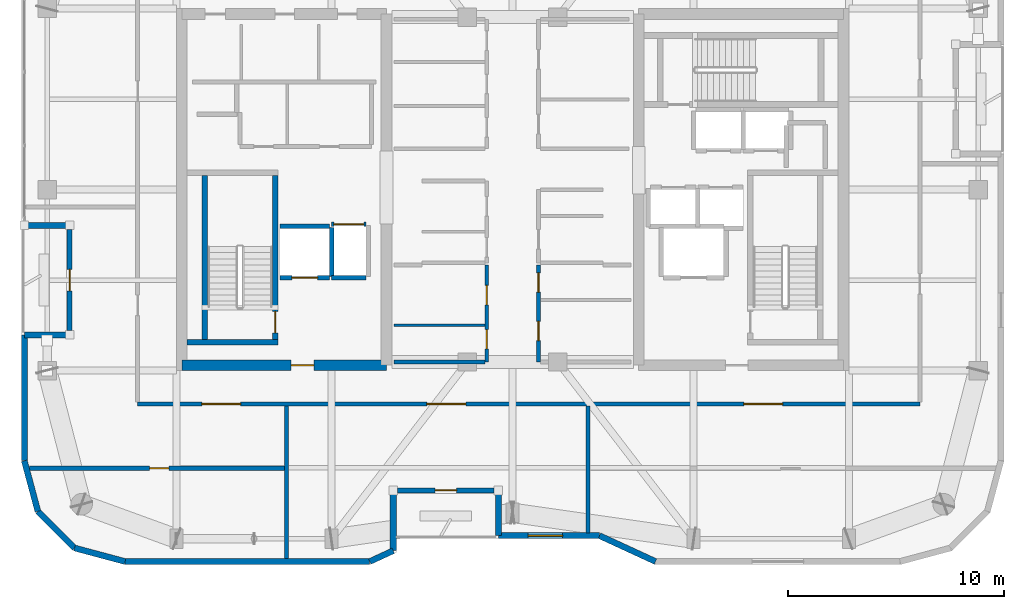
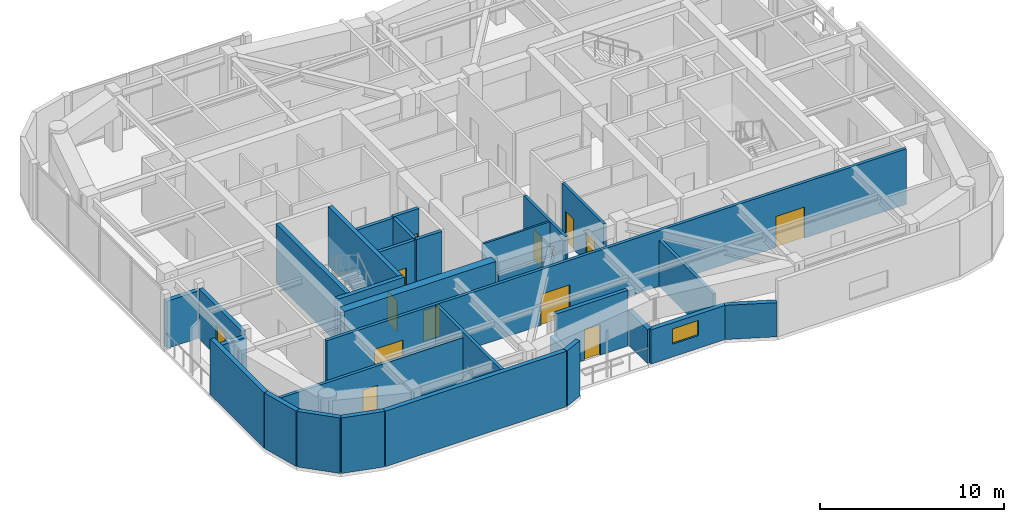
# One storey, part 10 of 16: 31 walls, 14 doors, 1 window, 15 openings.
"""IFC4 building model written with IfcOpenShell, lengths in metres."""

import ifcopenshell
import ifcopenshell.guid

model = None  # the IFC model being written
_history = None  # IfcOwnerHistory: only IFC2X3 demands one
_inside = {}  # id of a spatial element -> (the spatial element, [elements in it])
_under = {}  # id of a project, library or spatial element -> (it, [spatial elements below it])
_declared = {}  # id of a project -> (the project, [libraries it declares])
_typed = {}  # id of a type object -> (the type object, [elements of that type])
_made_of = {}  # id of a material, layer set ... -> (it, [elements and type objects made of it])


def new_model(schema):
    """Start an empty IFC model of exactly this schema.

    Asked for "IFC4X3", IfcOpenShell would pick the latest addendum, in which some entities
    have other attributes; the version numbers below select the first issue.
    IFC2X3 requires an IfcOwnerHistory on every rooted entity: one is made here for all.
    """
    global model, _history
    if schema == "IFC4X3":
        model = ifcopenshell.file(schema_version=(4, 3, 0, 0))
    else:
        model = ifcopenshell.file(schema=schema)
    _inside.clear()
    _under.clear()
    _declared.clear()
    _typed.clear()
    _made_of.clear()
    _history = None
    if model.schema == "IFC2X3":
        org = make("IfcOrganization", Name="unknown")
        user = make(
            "IfcPersonAndOrganization",
            ThePerson=make("IfcPerson", FamilyName="unknown"),
            TheOrganization=org,
        )
        app = make(
            "IfcApplication",
            ApplicationDeveloper=org,
            Version="unknown",
            ApplicationFullName="unknown",
            ApplicationIdentifier="unknown",
        )
        _history = make(
            "IfcOwnerHistory",
            OwningUser=user,
            OwningApplication=app,
            ChangeAction="ADDED",
            CreationDate=0,
        )
    return model


def make(cls, **values):
    """One entity of the class cls with the attributes given. An attribute that is None is left unset."""
    return model.create_entity(
        cls, **{name: value for name, value in values.items() if value is not None}
    )


def rooted(cls, **values):
    """An entity with a GlobalId (a new one), such as an element, a storey or a relation."""
    return make(cls, GlobalId=ifcopenshell.guid.new(), OwnerHistory=_history, **values)


def si_unit(unit_type, name, prefix=None):
    """IfcSIUnit, for example si_unit("LENGTHUNIT", "METRE", prefix="MILLI")."""
    return make("IfcSIUnit", UnitType=unit_type, Prefix=prefix, Name=name)


def assignment(units):
    """IfcUnitAssignment: the units of a project."""
    return None if units is None else make("IfcUnitAssignment", Units=units)


def point(xyz):
    """IfcCartesianPoint."""
    return None if xyz is None else make("IfcCartesianPoint", Coordinates=xyz)


def direction(xyz):
    """IfcDirection."""
    return None if xyz is None else make("IfcDirection", DirectionRatios=xyz)


def frame(location, z_axis=None, x_axis=None):
    """IfcAxis2Placement3D, a coordinate frame: its origin and axes. An axis left out is left unset."""
    return make(
        "IfcAxis2Placement3D",
        Location=point(location),
        Axis=direction(z_axis),
        RefDirection=direction(x_axis),
    )


def frame_2d(location, x_axis=None):
    """IfcAxis2Placement2D, a coordinate frame in the plane: its origin and x axis."""
    return make(
        "IfcAxis2Placement2D", Location=point(location), RefDirection=direction(x_axis)
    )


def origin():
    """The frame at (0, 0, 0) with its axes left unset."""
    return frame((0.0, 0.0, 0.0))


def place(relative_to, where):
    """IfcLocalPlacement: puts the frame where relative to a parent placement (None: the world)."""
    return make(
        "IfcLocalPlacement", PlacementRelTo=relative_to, RelativePlacement=where
    )


def context(
    kind, dimensions, precision=None, world=None, true_north=None, identifier=None
):
    """IfcGeometricRepresentationContext, for example the 3D "Model" context."""
    return make(
        "IfcGeometricRepresentationContext",
        ContextIdentifier=identifier,
        ContextType=kind,
        CoordinateSpaceDimension=dimensions,
        Precision=precision,
        WorldCoordinateSystem=world,
        TrueNorth=true_north,
    )


def subcontext(parent, identifier, kind, view, scale=None):
    """IfcGeometricRepresentationSubContext, for example "Body" below "Model"."""
    return make(
        "IfcGeometricRepresentationSubContext",
        ContextIdentifier=identifier,
        ContextType=kind,
        ParentContext=parent,
        TargetScale=scale,
        TargetView=view,
    )


def project(units=None, contexts=None):
    """IfcProject with its units and contexts."""
    return rooted(
        "IfcProject",
        Name="project",
        RepresentationContexts=contexts,
        UnitsInContext=assignment(units),
    )


def spatial(cls, under=None, at=None, **own):
    """A site, building, storey or space (cls), placed at a placement, below another one or the project."""
    s = rooted(cls, ObjectPlacement=at, **own)
    if under is not None:
        _under.setdefault(under.id(), (under, []))[1].append(s)
    return s


def profile(cls, at=None, kind="AREA", **sizes):
    """A parametric profile (cls). Its sizes go by their IFC names, for example OverallWidth=200.0."""
    return make(cls, ProfileType=kind, Position=at, **sizes)


def rectangle(**sizes):
    """IfcRectangleProfileDef."""
    return profile("IfcRectangleProfileDef", **sizes)


def extrude(swept, where, along, depth):
    """IfcExtrudedAreaSolid: the profile swept, set in the frame where, extruded along a direction by depth."""
    return make(
        "IfcExtrudedAreaSolid",
        SweptArea=swept,
        Position=where,
        ExtrudedDirection=direction(along),
        Depth=depth,
    )


def shape(context_of_items, identifier, shape_type, items):
    """IfcShapeRepresentation: the items that make up one representation, for example the "Body"."""
    return make(
        "IfcShapeRepresentation",
        ContextOfItems=context_of_items,
        RepresentationIdentifier=identifier,
        RepresentationType=shape_type,
        Items=items,
    )


def material(Name=None, Category=None):
    """IfcMaterial."""
    return make("IfcMaterial", Name=Name, Category=Category)


def layer(
    of_material, thickness, ventilated=None, Name=None, Category=None, Priority=None
):
    """IfcMaterialLayer: one layer of a wall or slab, of a material (None: an air gap)."""
    return make(
        "IfcMaterialLayer",
        Material=of_material,
        LayerThickness=thickness,
        IsVentilated=ventilated,
        Name=Name,
        Category=Category,
        Priority=Priority,
    )


def layer_set(layers, Name=None):
    """IfcMaterialLayerSet."""
    return make("IfcMaterialLayerSet", MaterialLayers=layers, LayerSetName=Name)


def made_of(thing, what):
    """Note that an element or type object is made of a material, layer set ...; save() writes the relation."""
    if what is not None:
        _made_of.setdefault(what.id(), (what, []))[1].append(thing)
    return thing


def type_object(cls, material=None, **own):
    """A type object (cls), such as IfcWallType, which elements share."""
    return made_of(rooted(cls, **own), material)


def element(
    cls,
    number,
    at=None,
    inside=None,
    cuts=None,
    type_object=None,
    material=None,
    context=None,
    identifier="Body",
    shape_type=None,
    held_by="IfcProductDefinitionShape",
    body=None,
    shapes=None,
    **own,
):
    """One element of the class cls, such as IfcWall. Its Tag is "e" and its number.

    at: its placement. inside: the storey or other place that contains it. cuts: it is an
    opening in that element (IfcRelVoidsElement). A single representation is given by context,
    identifier, shape_type and body (its items); several are given by shapes. held_by: the class
    of the entity that holds the representations. save() writes the other relations.
    """
    e = rooted(cls, Tag="e%d" % number, ObjectPlacement=at, **own)
    if body is not None:
        shapes = [shape(context, identifier, shape_type, body)]
    if shapes is not None:
        e.Representation = make(held_by, Representations=shapes)
    if inside is not None:
        _inside.setdefault(inside.id(), (inside, []))[1].append(e)
    if cuts is not None:
        rooted(
            "IfcRelVoidsElement", RelatingBuildingElement=cuts, RelatedOpeningElement=e
        )
    if type_object is not None:
        _typed.setdefault(type_object.id(), (type_object, []))[1].append(e)
    return made_of(e, material)


def fill(opening, filler):
    """IfcRelFillsElement: the door or window that sits in an opening."""
    return rooted(
        "IfcRelFillsElement",
        RelatingOpeningElement=opening,
        RelatedBuildingElement=filler,
    )


def aggregate(whole, parts):
    """IfcRelAggregates: a whole, such as a stair, and the parts it consists of."""
    return rooted("IfcRelAggregates", RelatingObject=whole, RelatedObjects=parts)


def save(model, path):
    """Write the relations noted so far, then the file.

    IfcRelAggregates (storeys below a building ...), IfcRelContainedInSpatialStructure (elements
    in a storey), IfcRelDefinesByType, IfcRelAssociatesMaterial and IfcRelDeclares: one each for
    every whole, place, type object, material and project.
    """
    for whole, parts in _under.values():
        aggregate(whole, parts)
    for where, things in _inside.values():
        rooted(
            "IfcRelContainedInSpatialStructure",
            RelatedElements=things,
            RelatingStructure=where,
        )
    for kind, things in _typed.values():
        rooted("IfcRelDefinesByType", RelatedObjects=things, RelatingType=kind)
    for what, things in _made_of.values():
        rooted("IfcRelAssociatesMaterial", RelatedObjects=things, RelatingMaterial=what)
    for by, libraries in _declared.values():
        rooted("IfcRelDeclares", RelatingContext=by, RelatedDefinitions=libraries)
    model.write(path)


model = new_model("IFC4")

# Units and contexts
model_context = context("Model", 3, precision=1e-05, world=origin(), true_north=direction((0.0, 1.0)))
body_context = subcontext(model_context, "Body", "Model", "MODEL_VIEW")
ifc_project = project(units=[si_unit("LENGTHUNIT", "METRE"), si_unit("AREAUNIT", "SQUARE_METRE"), si_unit("VOLUMEUNIT", "CUBIC_METRE"), si_unit("PLANEANGLEUNIT", "RADIAN"), si_unit("MASSUNIT", "GRAM", prefix="KILO")], contexts=[model_context])

# Site, building, storey
site_placement = place(None, origin())
site = spatial("IfcSite", under=ifc_project, at=site_placement, CompositionType="ELEMENT")
building_placement = place(site_placement, origin())
building = spatial("IfcBuilding", under=site, at=building_placement, Name="Kiyonajd Concourse Tower", CompositionType="ELEMENT")
storey_placement = place(building_placement, frame((0.0, 0.0, 333.60009765625)))
storey = spatial("IfcBuildingStorey", under=building, at=storey_placement, Name="L84", CompositionType="ELEMENT", Elevation=333.60009765625)

# Wall, opening, door
ifc_material_1 = material(Name="Concrete C60/75", Category="concrete")
ifc_layer_1 = layer(ifc_material_1, 0.5)
ifc_layer_set_1 = layer_set([ifc_layer_1], Name="Concrete C60/75")
wall_type_1 = type_object("IfcWallType", Name="WL-CORE-500", PredefinedType="SHEAR", material=ifc_layer_set_1)
wall_1_placement = place(storey_placement, frame((32.64990234375, 27.85009765625, 0.0), z_axis=(0.0, 0.0, 1.0), x_axis=(1.0, 0.0, 0.0)))
wall_1 = element("IfcWall", 1, at=wall_1_placement, inside=storey, type_object=wall_type_1, Name="L84 West Core South Shear Wall", PredefinedType="SHEAR", context=body_context, shape_type="SweptSolid", body=[
    extrude(rectangle(XDim=9.5, YDim=0.5, at=frame_2d((4.75, 0.0))), origin(), (0.0, 0.0, 1.0), 3.89990234375),
])
opening_1_placement = place(wall_1_placement, frame((5.074951171875, 0.0, 0.0)))
opening_1 = element("IfcOpeningElement", 2, at=opening_1_placement, cuts=wall_1, Name="Opening DF5", PredefinedType="OPENING", context=body_context, shape_type="SweptSolid", body=[
    extrude(rectangle(XDim=1.050048828125, YDim=2.0400390625, at=frame_2d((0.52490234375, 1.02001953125))), frame((0.0, 0.260009765625, 0.0), z_axis=(0.0, -1.0, 0.0), x_axis=(1.0, 0.0, 0.0)), (0.0, 0.0, 1.0), 0.52001953125),
])
ifc_material_2 = material(Name="Brushed Stainless Steel Cab Assembly", Category="steel")
door_type_1 = type_object("IfcDoorType", Name="DR-FD45-1050", OperationType="NOTDEFINED", PredefinedType="DOOR", material=ifc_material_2)
door_1_placement = place(opening_1_placement, origin())
door_1 = element("IfcDoor", 3, at=door_1_placement, inside=storey, type_object=door_type_1, Name="L84 Firefighting Lift Lobby W Smoke Door", OperationType="SINGLE_SWING_LEFT", OverallHeight=2.0400390625, OverallWidth=1.050048828125, PredefinedType="DOOR", context=body_context, shape_type="SweptSolid", body=[
    extrude(rectangle(XDim=1.050048828125, YDim=2.0400390625, at=frame_2d((0.52490234375, 1.02001953125))), frame((0.0, 0.02490234375, 0.0), z_axis=(0.0, -1.0, 0.0), x_axis=(1.0, 0.0, 0.0)), (0.0, 0.0, 1.0), 0.050048828125),
])
fill(opening_1, door_1)

# Walls
ifc_material_3 = material(Name="Precast concrete C50/60", Category="concrete")
ifc_layer_2 = layer(ifc_material_3, 0.280029296875)
ifc_layer_set_2 = layer_set([ifc_layer_2], Name="Precast concrete C50/60")
wall_type_2 = type_object("IfcWallType", Name="WL-EXT-280", PredefinedType="SOLIDWALL", material=ifc_layer_set_2)
wall_2_placement = place(storey_placement, frame((25.968505859375, 21.072509765625, 0.0), z_axis=(0.0, 0.0, 1.0), x_axis=(-0.258751159445, 0.965944013639, 0.0)))
element("IfcWall", 4, at=wall_2_placement, inside=storey, type_object=wall_type_2, Name="L84 Exterior Concrete Frame Wall 00", PredefinedType="SOLIDWALL", context=body_context, shape_type="SweptSolid", body=[
    extrude(rectangle(XDim=2.4287109375, YDim=0.280029296875, at=frame_2d((1.21435546875, 0.0))), origin(), (0.0, 0.0, 1.0), 3.679931640625),
])
wall_3_placement = place(storey_placement, frame((25.340087890625, 23.41845703125, 0.0), z_axis=(0.0, 0.0, 1.0), x_axis=(0.0, 1.0, 0.0)))
element("IfcWall", 5, at=wall_3_placement, inside=storey, type_object=wall_type_2, Name="L84 Exterior Concrete Frame Wall 01", PredefinedType="SOLIDWALL", context=body_context, shape_type="SweptSolid", body=[
    extrude(rectangle(XDim=5.841552734375, YDim=0.280029296875, at=frame_2d((2.9208984375, 0.0))), origin(), (0.0, 0.0, 1.0), 3.679931640625),
])
for number, where, z_axis, x_axis, name in (
    (6, (25.340087890625, 29.260009765625, 0.0), (0.0, 0.0, 1.0), (1.0, 0.0, 0.0), "L84 Exterior Concrete Frame Wall 02"),
    (7, (27.43994140625, 34.340087890625, 0.0), (0.0, 0.0, 1.0), (-1.0, 0.0, 0.0), "L84 Exterior Concrete Frame Wall 04"),
):
    element("IfcWall", number, at=place(storey_placement, frame(where, z_axis=z_axis, x_axis=x_axis)), inside=storey, type_object=wall_type_2, Name=name, PredefinedType="SOLIDWALL", context=body_context, shape_type="SweptSolid", body=[
        extrude(rectangle(XDim=2.099853515625, YDim=0.280029296875, at=frame_2d((1.0498046875, 0.0))), origin(), (0.0, 0.0, 1.0), 3.1259765625),
    ])
wall_4_placement = place(storey_placement, frame((54.630615234375, 18.739990234375, 0.0), z_axis=(0.0, 0.0, 1.0), x_axis=(-0.907956889006, 0.419063584324, 0.0)))
element("IfcWall", 8, at=wall_4_placement, inside=storey, type_object=wall_type_2, Name="L84 Exterior Concrete Frame Wall 29", PredefinedType="SOLIDWALL", context=body_context, shape_type="SweptSolid", body=[
    extrude(rectangle(XDim=2.863525390625, YDim=0.280029296875, at=frame_2d((1.431640625, 0.0))), origin(), (0.0, 0.0, 1.0), 2.264892578125),
])

# Wall, opening, window
wall_5_placement = place(storey_placement, frame((52.03076171875, 19.93994140625, 0.0), z_axis=(0.0, 0.0, 1.0), x_axis=(-1.0, 0.0, 0.0)))
wall_5 = element("IfcWall", 9, at=wall_5_placement, inside=storey, type_object=wall_type_2, Name="L84 Exterior Concrete Frame Wall 30", PredefinedType="SOLIDWALL", context=body_context, shape_type="SweptSolid", body=[
    extrude(rectangle(XDim=4.690673828125, YDim=0.280029296875, at=frame_2d((2.34521484375, 0.0))), origin(), (0.0, 0.0, 1.0), 2.264892578125),
])
opening_2_placement = place(wall_5_placement, frame((1.716064453125, 0.0, 0.85009765625)))
opening_2 = element("IfcOpeningElement", 10, at=opening_2_placement, cuts=wall_5, Name="Opening WN6", PredefinedType="OPENING", context=body_context, shape_type="SweptSolid", body=[
    extrude(rectangle(XDim=1.60009765625, YDim=1.0, at=frame_2d((0.800048828125, 0.5))), frame((0.0, 0.14990234375, 0.0), z_axis=(0.0, -1.0, 0.0), x_axis=(1.0, 0.0, 0.0)), (0.0, 0.0, 1.0), 0.300048828125),
])
ifc_material_4 = material(Name="Double Low-E Insulated Glass", Category="glass")
window_type = type_object("IfcWindowType", Name="WN-VIS-1600x1000", PartitioningType="SINGLE_PANEL", PredefinedType="WINDOW", material=ifc_material_4)
window_placement = place(opening_2_placement, origin())
window = element("IfcWindow", 11, at=window_placement, inside=storey, type_object=window_type, Name="L84 Modular Facade Vision Window 30", OverallHeight=1.0, OverallWidth=1.60009765625, PartitioningType="SINGLE_PANEL", PredefinedType="WINDOW", context=body_context, shape_type="SweptSolid", body=[
    extrude(rectangle(XDim=1.60009765625, YDim=1.0, at=frame_2d((0.800048828125, 0.5))), frame((0.0, 0.030029296875, 0.0), z_axis=(0.0, -1.0, 0.0), x_axis=(1.0, 0.0, 0.0)), (0.0, 0.0, 1.0), 0.06005859375),
])
fill(opening_2, window)

# Walls
wall_6_placement = place(storey_placement, frame((47.340087890625, 19.93994140625, 0.0), z_axis=(0.0, 0.0, 1.0), x_axis=(0.0, 1.0, 0.0)))
element("IfcWall", 12, at=wall_6_placement, inside=storey, type_object=wall_type_2, Name="L84 Exterior Concrete Frame Wall 31", PredefinedType="SOLIDWALL", context=body_context, shape_type="SweptSolid", body=[
    extrude(rectangle(XDim=2.10009765625, YDim=0.280029296875, at=frame_2d((1.050048828125, 0.0))), origin(), (0.0, 0.0, 1.0), 2.264892578125),
])
wall_7_placement = place(storey_placement, frame((42.4599609375, 22.0400390625, 0.0), z_axis=(0.0, 0.0, 1.0), x_axis=(0.0, -1.0, 0.0)))
element("IfcWall", 13, at=wall_7_placement, inside=storey, type_object=wall_type_2, Name="L84 Exterior Concrete Frame Wall 33", PredefinedType="SOLIDWALL", context=body_context, shape_type="SweptSolid", body=[
    extrude(rectangle(XDim=2.79638671875, YDim=0.280029296875, at=frame_2d((1.398193359375, 0.0))), origin(), (0.0, 0.0, 1.0), 2.264892578125),
])
wall_8_placement = place(storey_placement, frame((42.4599609375, 19.24365234375, 0.0), z_axis=(0.0, 0.0, 1.0), x_axis=(-0.907893953211, -0.419199916176, 0.0)))
element("IfcWall", 14, at=wall_8_placement, inside=storey, type_object=wall_type_2, Name="L84 Exterior Concrete Frame Wall 34", PredefinedType="SOLIDWALL", context=body_context, shape_type="SweptSolid", body=[
    extrude(rectangle(XDim=1.201416015625, YDim=0.280029296875, at=frame_2d((0.6005859375, 0.0))), origin(), (0.0, 0.0, 1.0), 3.679931640625),
])
wall_9_placement = place(storey_placement, frame((41.369140625, 18.739990234375, 0.0), z_axis=(0.0, 0.0, 1.0), x_axis=(-1.0, 0.0, 0.0)))
element("IfcWall", 15, at=wall_9_placement, inside=storey, type_object=wall_type_2, Name="L84 Exterior Concrete Frame Wall 35", PredefinedType="SOLIDWALL", context=body_context, shape_type="SweptSolid", body=[
    extrude(rectangle(XDim=11.350830078125, YDim=0.280029296875, at=frame_2d((5.67529296875, 0.0))), origin(), (0.0, 0.0, 1.0), 3.679931640625),
])
wall_10_placement = place(storey_placement, frame((30.018310546875, 18.739990234375, 0.0), z_axis=(0.0, 0.0, 1.0), x_axis=(-0.965937282298, 0.25877628691, 0.0)))
element("IfcWall", 16, at=wall_10_placement, inside=storey, type_object=wall_type_2, Name="L84 Exterior Concrete Frame Wall 36", PredefinedType="SOLIDWALL", context=body_context, shape_type="SweptSolid", body=[
    extrude(rectangle(XDim=2.428466796875, YDim=0.280029296875, at=frame_2d((1.21435546875, 0.0))), origin(), (0.0, 0.0, 1.0), 3.679931640625),
])
wall_11_placement = place(storey_placement, frame((27.672607421875, 19.368408203125, 0.0), z_axis=(0.0, 0.0, 1.0), x_axis=(-0.707106781187, 0.707106781187, 0.0)))
element("IfcWall", 17, at=wall_11_placement, inside=storey, type_object=wall_type_2, Name="L84 Exterior Concrete Frame Wall 37", PredefinedType="SOLIDWALL", context=body_context, shape_type="SweptSolid", body=[
    extrude(rectangle(XDim=2.409912109375, YDim=0.280029296875, at=frame_2d((1.205078125, 0.0))), origin(), (0.0, 0.0, 1.0), 3.679931640625),
])

# Wall, opening, door
ifc_layer_3 = layer(ifc_material_3, 0.239990234375)
ifc_layer_set_3 = layer_set([ifc_layer_3], Name="Precast concrete C50/60")
wall_type_3 = type_object("IfcWallType", Name="WL-LOG-240", PredefinedType="SOLIDWALL", material=ifc_layer_set_3)
wall_12_placement = place(storey_placement, frame((27.43994140625, 29.455078125, 0.0), z_axis=(0.0, 0.0, 1.0), x_axis=(0.0, 1.0, 0.0)))
wall_12 = element("IfcWall", 18, at=wall_12_placement, inside=storey, type_object=wall_type_3, Name="L84 Recessed Loggia Thermal Wall LOG-W", PredefinedType="SOLIDWALL", context=body_context, shape_type="SweptSolid", body=[
    extrude(rectangle(XDim=4.68994140625, YDim=0.239990234375, at=frame_2d((2.344970703125, 0.0))), origin(), (0.0, 0.0, 1.0), 3.310791015625),
])
opening_3_placement = place(wall_12_placement, frame((1.844970703125, 0.0, 0.0)))
opening_3 = element("IfcOpeningElement", 19, at=opening_3_placement, cuts=wall_12, Name="Opening DL1", PredefinedType="OPENING", context=body_context, shape_type="SweptSolid", body=[
    extrude(rectangle(XDim=1.0, YDim=2.02001953125, at=frame_2d((0.5, 1.010009765625))), frame((0.0, 0.1298828125, 0.0), z_axis=(0.0, -1.0, 0.0), x_axis=(1.0, 0.0, 0.0)), (0.0, 0.0, 1.0), 0.260009765625),
])
ifc_material_5 = material(Name="Thermally Broken Anodised Aluminium", Category="aluminium")
door_type_2 = type_object("IfcDoorType", Name="DR-LOG-1000", OperationType="NOTDEFINED", PredefinedType="DOOR", material=ifc_material_5)
door_2_placement = place(opening_3_placement, origin())
door_2 = element("IfcDoor", 20, at=door_2_placement, inside=storey, type_object=door_type_2, Name="L84 Engawa Loggia Access Door LOG-W", OperationType="SINGLE_SWING_LEFT", OverallHeight=2.02001953125, OverallWidth=1.0, PredefinedType="DOOR", context=body_context, shape_type="SweptSolid", body=[
    extrude(rectangle(XDim=1.0, YDim=2.02001953125, at=frame_2d((0.5, 1.010009765625))), frame((0.0, 0.02490234375, 0.0), z_axis=(0.0, -1.0, 0.0), x_axis=(1.0, 0.0, 0.0)), (0.0, 0.0, 1.0), 0.050048828125),
])
fill(opening_3, door_2)

wall_13_placement = place(storey_placement, frame((47.14501953125, 22.0400390625, 0.0), z_axis=(0.0, 0.0, 1.0), x_axis=(-1.0, 0.0, 0.0)))
wall_13 = element("IfcWall", 21, at=wall_13_placement, inside=storey, type_object=wall_type_3, Name="L84 Recessed Loggia Thermal Wall LOG-S", PredefinedType="SOLIDWALL", context=body_context, shape_type="SweptSolid", body=[
    extrude(rectangle(XDim=4.489990234375, YDim=0.239990234375, at=frame_2d((2.2451171875, 0.0))), origin(), (0.0, 0.0, 1.0), 3.679931640625),
])
opening_4_placement = place(wall_13_placement, frame((1.7451171875, 0.0, 0.0)))
opening_4 = element("IfcOpeningElement", 22, at=opening_4_placement, cuts=wall_13, Name="Opening DL1", PredefinedType="OPENING", context=body_context, shape_type="SweptSolid", body=[
    extrude(rectangle(XDim=1.0, YDim=2.02001953125, at=frame_2d((0.5, 1.010009765625))), frame((0.0, 0.1298828125, 0.0), z_axis=(0.0, -1.0, 0.0), x_axis=(1.0, 0.0, 0.0)), (0.0, 0.0, 1.0), 0.260009765625),
])
door_3_placement = place(opening_4_placement, origin())
door_3 = element("IfcDoor", 23, at=door_3_placement, inside=storey, type_object=door_type_2, Name="L84 Engawa Loggia Access Door LOG-S", OperationType="SINGLE_SWING_RIGHT", OverallHeight=2.02001953125, OverallWidth=1.0, PredefinedType="DOOR", context=body_context, shape_type="SweptSolid", body=[
    extrude(rectangle(XDim=1.0, YDim=2.02001953125, at=frame_2d((0.5, 1.010009765625))), frame((0.0, 0.02490234375, 0.0), z_axis=(0.0, -1.0, 0.0), x_axis=(1.0, 0.0, 0.0)), (0.0, 0.0, 1.0), 0.050048828125),
])
fill(opening_4, door_3)

# Wall
ifc_material_6 = material(Name="Gypsum Board on Cold-Formed Steel Stud", Category="steel")
ifc_layer_4 = layer(ifc_material_6, 0.125)
ifc_layer_set_4 = layer_set([ifc_layer_4], Name="Gypsum Board on Cold-Formed Steel Stud")
wall_type_4 = type_object("IfcWallType", Name="WL-PART-125", PredefinedType="PARTITIONING", material=ifc_layer_set_4)
wall_14_placement = place(storey_placement, frame((42.5, 29.7099609375, 0.0), z_axis=(0.0, 0.0, 1.0), x_axis=(1.0, 0.0, 0.0)))
element("IfcWall", 24, at=wall_14_placement, inside=storey, type_object=wall_type_4, Name="L84 Interior Partition Wall", PredefinedType="PARTITIONING", context=body_context, shape_type="SweptSolid", body=[
    extrude(rectangle(XDim=4.212890625, YDim=0.125, at=frame_2d((2.1064453125, 0.0))), origin(), (0.0, 0.0, 1.0), 3.679931640625),
])

# Wall, openings, doors
ifc_layer_5 = layer(ifc_material_6, 0.18994140625)
ifc_layer_set_5 = layer_set([ifc_layer_5], Name="Gypsum Board on Cold-Formed Steel Stud")
wall_type_5 = type_object("IfcWallType", Name="WL-PLMB-190", PredefinedType="PLUMBINGWALL", material=ifc_layer_set_5)
wall_15_placement = place(storey_placement, frame((30.60009765625, 26.050048828125, 0.0), z_axis=(0.0, 0.0, 1.0), x_axis=(1.0, 0.0, 0.0)))
wall_15 = element("IfcWall", 25, at=wall_15_placement, inside=storey, type_object=wall_type_5, Name="L84 Interior Partition Wall", PredefinedType="PLUMBINGWALL", context=body_context, shape_type="SweptSolid", body=[
    extrude(rectangle(XDim=36.2998046875, YDim=0.18994140625, at=frame_2d((18.14990234375, 0.0))), origin(), (0.0, 0.0, 1.0), 3.679931640625),
])
opening_5_placement = place(wall_15_placement, frame((2.97509765625, 0.0, 0.0)))
opening_5 = element("IfcOpeningElement", 26, at=opening_5_placement, cuts=wall_15, Name="Opening DI3", PredefinedType="OPENING", context=body_context, shape_type="SweptSolid", body=[
    extrude(rectangle(XDim=1.800048828125, YDim=2.06005859375, at=frame_2d((0.89990234375, 1.030029296875))), frame((0.0, 0.10498046875, 0.0), z_axis=(0.0, -1.0, 0.0), x_axis=(1.0, 0.0, 0.0)), (0.0, 0.0, 1.0), 0.2099609375),
])
opening_6_placement = place(wall_15_placement, frame((13.425048828125, 0.0, 0.0)))
opening_6 = element("IfcOpeningElement", 27, at=opening_6_placement, cuts=wall_15, Name="Opening DI3", PredefinedType="OPENING", context=body_context, shape_type="SweptSolid", body=[
    extrude(rectangle(XDim=1.800048828125, YDim=2.06005859375, at=frame_2d((0.89990234375, 1.030029296875))), frame((0.0, 0.10498046875, 0.0), z_axis=(0.0, -1.0, 0.0), x_axis=(1.0, 0.0, 0.0)), (0.0, 0.0, 1.0), 0.2099609375),
])
opening_7_placement = place(wall_15_placement, frame((28.125, 0.0, 0.0)))
opening_7 = element("IfcOpeningElement", 28, at=opening_7_placement, cuts=wall_15, Name="Opening DI3", PredefinedType="OPENING", context=body_context, shape_type="SweptSolid", body=[
    extrude(rectangle(XDim=1.800048828125, YDim=2.06005859375, at=frame_2d((0.89990234375, 1.030029296875))), frame((0.0, 0.10498046875, 0.0), z_axis=(0.0, -1.0, 0.0), x_axis=(1.0, 0.0, 0.0)), (0.0, 0.0, 1.0), 0.2099609375),
])
door_type_3 = type_object("IfcDoorType", Name="DR-PAIR-1800", OperationType="DOUBLE_DOOR_SINGLE_SWING", PredefinedType="DOOR", material=ifc_material_2)
door_4_placement = place(opening_5_placement, origin())
door_4 = element("IfcDoor", 29, at=door_4_placement, inside=storey, type_object=door_type_3, Name="L84 Interior Door", OperationType="DOUBLE_DOOR_SINGLE_SWING", OverallHeight=2.06005859375, OverallWidth=1.800048828125, PredefinedType="DOOR", context=body_context, shape_type="SweptSolid", body=[
    extrude(rectangle(XDim=1.800048828125, YDim=2.06005859375, at=frame_2d((0.89990234375, 1.030029296875))), frame((0.0, 0.02490234375, 0.0), z_axis=(0.0, -1.0, 0.0), x_axis=(1.0, 0.0, 0.0)), (0.0, 0.0, 1.0), 0.050048828125),
])
fill(opening_5, door_4)
door_5_placement = place(opening_6_placement, origin())
door_5 = element("IfcDoor", 30, at=door_5_placement, inside=storey, type_object=door_type_3, Name="L84 Interior Door", OperationType="DOUBLE_DOOR_SINGLE_SWING", OverallHeight=2.06005859375, OverallWidth=1.800048828125, PredefinedType="DOOR", context=body_context, shape_type="SweptSolid", body=[
    extrude(rectangle(XDim=1.800048828125, YDim=2.06005859375, at=frame_2d((0.89990234375, 1.030029296875))), frame((0.0, 0.02490234375, 0.0), z_axis=(0.0, -1.0, 0.0), x_axis=(1.0, 0.0, 0.0)), (0.0, 0.0, 1.0), 0.050048828125),
])
fill(opening_6, door_5)
door_6_placement = place(opening_7_placement, origin())
door_6 = element("IfcDoor", 31, at=door_6_placement, inside=storey, type_object=door_type_3, Name="L84 Interior Door", OperationType="DOUBLE_DOOR_SINGLE_SWING", OverallHeight=2.06005859375, OverallWidth=1.800048828125, PredefinedType="DOOR", context=body_context, shape_type="SweptSolid", body=[
    extrude(rectangle(XDim=1.800048828125, YDim=2.06005859375, at=frame_2d((0.89990234375, 1.030029296875))), frame((0.0, 0.02490234375, 0.0), z_axis=(0.0, -1.0, 0.0), x_axis=(1.0, 0.0, 0.0)), (0.0, 0.0, 1.0), 0.050048828125),
])
fill(opening_7, door_6)

# Wall, opening, door
wall_16_placement = place(storey_placement, frame((25.574951171875, 23.070068359375, 0.0), z_axis=(0.0, 0.0, 1.0), x_axis=(1.0, 0.0, 0.0)))
wall_16 = element("IfcWall", 32, at=wall_16_placement, inside=storey, type_object=wall_type_5, Name="L84 Interior Partition Wall", PredefinedType="PLUMBINGWALL", context=body_context, shape_type="SweptSolid", body=[
    extrude(rectangle(XDim=11.925048828125, YDim=0.18994140625, at=frame_2d((5.96240234375, 0.0))), origin(), (0.0, 0.0, 1.0), 3.310791015625),
])
opening_8_placement = place(wall_16_placement, frame((5.574951171875, 0.0, 0.0)))
opening_8 = element("IfcOpeningElement", 33, at=opening_8_placement, cuts=wall_16, Name="Opening DI2", PredefinedType="OPENING", context=body_context, shape_type="SweptSolid", body=[
    extrude(rectangle(XDim=0.89990234375, YDim=2.02001953125, at=frame_2d((0.449951171875, 1.010009765625))), frame((0.0, 0.10498046875, 0.0), z_axis=(0.0, -1.0, 0.0), x_axis=(1.0, 0.0, 0.0)), (0.0, 0.0, 1.0), 0.2099609375),
])
ifc_material_7 = material(Name="Natural Oak Acoustic Timber Veneer", Category="wood")
door_type_4 = type_object("IfcDoorType", Name="DR-INT-900", OperationType="NOTDEFINED", PredefinedType="DOOR", material=ifc_material_7)
door_7_placement = place(opening_8_placement, origin())
door_7 = element("IfcDoor", 34, at=door_7_placement, inside=storey, type_object=door_type_4, Name="L84 Interior Door", OperationType="SINGLE_SWING_LEFT", OverallHeight=2.02001953125, OverallWidth=0.89990234375, PredefinedType="DOOR", context=body_context, shape_type="SweptSolid", body=[
    extrude(rectangle(XDim=0.89990234375, YDim=2.02001953125, at=frame_2d((0.449951171875, 1.010009765625))), frame((0.0, 0.02490234375, 0.0), z_axis=(0.0, -1.0, 0.0), x_axis=(1.0, 0.0, 0.0)), (0.0, 0.0, 1.0), 0.050048828125),
])
fill(opening_8, door_7)

# Walls
wall_17_placement = place(storey_placement, frame((37.5, 18.875, 0.0), z_axis=(0.0, 0.0, 1.0), x_axis=(0.0, 1.0, 0.0)))
element("IfcWall", 35, at=wall_17_placement, inside=storey, type_object=wall_type_5, Name="L84 Interior Partition Wall", PredefinedType="PLUMBINGWALL", context=body_context, shape_type="SweptSolid", body=[
    extrude(rectangle(XDim=7.077880859375, YDim=0.18994140625, at=frame_2d((3.5390625, 0.0))), origin(), (0.0, 0.0, 1.0), 3.679931640625),
])
wall_18_placement = place(storey_placement, frame((51.5, 20.074951171875, 0.0), z_axis=(0.0, 0.0, 1.0), x_axis=(0.0, 1.0, 0.0)))
element("IfcWall", 36, at=wall_18_placement, inside=storey, type_object=wall_type_5, Name="L84 Interior Partition Wall", PredefinedType="PLUMBINGWALL", context=body_context, shape_type="SweptSolid", body=[
    extrude(rectangle(XDim=5.8779296875, YDim=0.18994140625, at=frame_2d((2.93896484375, 0.0))), origin(), (0.0, 0.0, 1.0), 3.04296875),
])

# Wall, opening, door
ifc_layer_6 = layer(ifc_material_6, 0.2099609375)
ifc_layer_set_6 = layer_set([ifc_layer_6], Name="Gypsum Board on Cold-Formed Steel Stud")
wall_type_6 = type_object("IfcWallType", Name="WL-SHAFT-210", PredefinedType="PARTITIONING", material=ifc_layer_set_6)
wall_19_placement = place(storey_placement, frame((37.199951171875, 31.89990234375, 0.0), z_axis=(0.0, 0.0, 1.0), x_axis=(1.0, 0.0, 0.0)))
wall_19 = element("IfcWall", 37, at=wall_19_placement, inside=storey, type_object=wall_type_6, Name="L84 Shaft Enclosure Wall", PredefinedType="PARTITIONING", context=body_context, shape_type="SweptSolid", body=[
    extrude(rectangle(XDim=2.300048828125, YDim=0.2099609375, at=frame_2d((1.14990234375, 0.0))), origin(), (0.0, 0.0, 1.0), 3.679931640625),
])
opening_9_placement = place(wall_19_placement, frame((0.550048828125, 0.0, 0.0)))
opening_9 = element("IfcOpeningElement", 38, at=opening_9_placement, cuts=wall_19, Name="Opening LD2", PredefinedType="OPENING", context=body_context, shape_type="SweptSolid", body=[
    extrude(rectangle(XDim=1.199951171875, YDim=2.0400390625, at=frame_2d((0.60009765625, 1.02001953125))), frame((0.0, 0.114990234375, 0.0), z_axis=(0.0, -1.0, 0.0), x_axis=(1.0, 0.0, 0.0)), (0.0, 0.0, 1.0), 0.22998046875),
])
door_type_5 = type_object("IfcDoorType", Name="DR-LD-1200", OperationType="DOUBLE_DOOR_SLIDING", PredefinedType="DOOR", material=ifc_material_2)
door_8_placement = place(opening_9_placement, origin())
door_8 = element("IfcDoor", 39, at=door_8_placement, inside=storey, type_object=door_type_5, Name="L84 Lift FFL1 Sliding Landing Door", OperationType="DOUBLE_DOOR_SLIDING", OverallHeight=2.0400390625, OverallWidth=1.199951171875, PredefinedType="DOOR", context=body_context, shape_type="SweptSolid", body=[
    extrude(rectangle(XDim=1.199951171875, YDim=2.0400390625, at=frame_2d((0.60009765625, 1.02001953125))), frame((0.0, 0.02490234375, 0.0), z_axis=(0.0, -1.0, 0.0), x_axis=(1.0, 0.0, 0.0)), (0.0, 0.0, 1.0), 0.050048828125),
])
fill(opening_9, door_8)

# Walls
wall_20_placement = place(storey_placement, frame((37.199951171875, 34.300048828125, 0.0), z_axis=(0.0, 0.0, 1.0), x_axis=(1.0, 0.0, 0.0)))
element("IfcWall", 40, at=wall_20_placement, inside=storey, type_object=wall_type_6, Name="L84 Shaft Enclosure Wall", PredefinedType="PARTITIONING", context=body_context, shape_type="SweptSolid", body=[
    extrude(rectangle(XDim=2.300048828125, YDim=0.2099609375, at=frame_2d((1.14990234375, 0.0))), origin(), (0.0, 0.0, 1.0), 3.679931640625),
])
wall_21_placement = place(storey_placement, frame((39.60009765625, 31.9599609375, 0.0), z_axis=(0.0, 0.0, 1.0), x_axis=(0.0, 1.0, 0.0)))
element("IfcWall", 41, at=wall_21_placement, inside=storey, type_object=wall_type_6, Name="L84 Shaft Enclosure Wall", PredefinedType="PARTITIONING", context=body_context, shape_type="SweptSolid", body=[
    extrude(rectangle(XDim=2.280029296875, YDim=0.2099609375, at=frame_2d((1.14013671875, 0.0))), origin(), (0.0, 0.0, 1.0), 3.679931640625),
])

# Wall, opening, door
wall_22_placement = place(storey_placement, frame((39.60009765625, 34.39990234375, 0.0), z_axis=(0.0, 0.0, 1.0), x_axis=(1.0, 0.0, 0.0)))
wall_22 = element("IfcWall", 42, at=wall_22_placement, inside=storey, type_object=wall_type_6, Name="L84 Shaft Enclosure Wall", PredefinedType="PARTITIONING", context=body_context, shape_type="SweptSolid", body=[
    extrude(rectangle(XDim=1.599853515625, YDim=0.2099609375, at=frame_2d((0.7998046875, 0.0))), origin(), (0.0, 0.0, 1.0), 3.679931640625),
])
opening_10_placement = place(wall_22_placement, frame((0.10009765625, 0.0, 0.0)))
opening_10 = element("IfcOpeningElement", 43, at=opening_10_placement, cuts=wall_22, Name="Opening LD3", PredefinedType="OPENING", context=body_context, shape_type="SweptSolid", body=[
    extrude(rectangle(XDim=1.39990234375, YDim=2.06005859375, at=frame_2d((0.699951171875, 1.030029296875))), frame((0.0, 0.114990234375, 0.0), z_axis=(0.0, -1.0, 0.0), x_axis=(1.0, 0.0, 0.0)), (0.0, 0.0, 1.0), 0.22998046875),
])
door_type_6 = type_object("IfcDoorType", Name="DR-LD-1400", OperationType="DOUBLE_DOOR_SLIDING", PredefinedType="DOOR", material=ifc_material_2)
door_9_placement = place(opening_10_placement, origin())
door_9 = element("IfcDoor", 44, at=door_9_placement, inside=storey, type_object=door_type_6, Name="L84 Lift SVL1 Sliding Landing Door", OperationType="DOUBLE_DOOR_SLIDING", OverallHeight=2.06005859375, OverallWidth=1.39990234375, PredefinedType="DOOR", context=body_context, shape_type="SweptSolid", body=[
    extrude(rectangle(XDim=1.39990234375, YDim=2.06005859375, at=frame_2d((0.699951171875, 1.030029296875))), frame((0.0, 0.02490234375, 0.0), z_axis=(0.0, -1.0, 0.0), x_axis=(1.0, 0.0, 0.0)), (0.0, 0.0, 1.0), 0.050048828125),
])
fill(opening_10, door_9)

# Wall
wall_23_placement = place(storey_placement, frame((39.60009765625, 31.89990234375, 0.0), z_axis=(0.0, 0.0, 1.0), x_axis=(1.0, 0.0, 0.0)))
element("IfcWall", 45, at=wall_23_placement, inside=storey, type_object=wall_type_6, Name="L84 Shaft Enclosure Wall", PredefinedType="PARTITIONING", context=body_context, shape_type="SweptSolid", body=[
    extrude(rectangle(XDim=1.599853515625, YDim=0.2099609375, at=frame_2d((0.7998046875, 0.0))), origin(), (0.0, 0.0, 1.0), 3.679931640625),
])

# Wall, openings, doors
ifc_layer_7 = layer(ifc_material_6, 0.169921875)
ifc_layer_set_7 = layer_set([ifc_layer_7], Name="Gypsum Board on Cold-Formed Steel Stud")
wall_type_7 = type_object("IfcWallType", Name="WL-SMK-170", PredefinedType="PARTITIONING", material=ifc_layer_set_7)
wall_24_placement = place(storey_placement, frame((46.800048828125, 28.0, 0.0), z_axis=(0.0, 0.0, 1.0), x_axis=(0.0, 1.0, 0.0)))
wall_24 = element("IfcWall", 46, at=wall_24_placement, inside=storey, type_object=wall_type_7, Name="L84 Interior Partition Wall", PredefinedType="PARTITIONING", context=body_context, shape_type="SweptSolid", body=[
    extrude(rectangle(XDim=4.5, YDim=0.169921875, at=frame_2d((2.25, 0.0))), origin(), (0.0, 0.0, 1.0), 3.679931640625),
])
opening_11_placement = place(wall_24_placement, frame((0.60498046875, 0.0, 0.0)))
opening_11 = element("IfcOpeningElement", 47, at=opening_11_placement, cuts=wall_24, Name="Opening DI2", PredefinedType="OPENING", context=body_context, shape_type="SweptSolid", body=[
    extrude(rectangle(XDim=0.89990234375, YDim=2.02001953125, at=frame_2d((0.449951171875, 1.010009765625))), frame((0.0, 0.094970703125, 0.0), z_axis=(0.0, -1.0, 0.0), x_axis=(1.0, 0.0, 0.0)), (0.0, 0.0, 1.0), 0.18994140625),
])
opening_12_placement = place(wall_24_placement, frame((2.655029296875, 0.0, 0.0)))
opening_12 = element("IfcOpeningElement", 48, at=opening_12_placement, cuts=wall_24, Name="Opening DI2", PredefinedType="OPENING", context=body_context, shape_type="SweptSolid", body=[
    extrude(rectangle(XDim=0.89990234375, YDim=2.02001953125, at=frame_2d((0.449951171875, 1.010009765625))), frame((0.0, 0.094970703125, 0.0), z_axis=(0.0, -1.0, 0.0), x_axis=(1.0, 0.0, 0.0)), (0.0, 0.0, 1.0), 0.18994140625),
])
door_10_placement = place(opening_11_placement, origin())
door_10 = element("IfcDoor", 49, at=door_10_placement, inside=storey, type_object=door_type_4, Name="L84 Interior Door", OperationType="SINGLE_SWING_RIGHT", OverallHeight=2.02001953125, OverallWidth=0.89990234375, PredefinedType="DOOR", context=body_context, shape_type="SweptSolid", body=[
    extrude(rectangle(XDim=0.89990234375, YDim=2.02001953125, at=frame_2d((0.449951171875, 1.010009765625))), frame((0.0, 0.02490234375, 0.0), z_axis=(0.0, -1.0, 0.0), x_axis=(1.0, 0.0, 0.0)), (0.0, 0.0, 1.0), 0.050048828125),
])
fill(opening_11, door_10)
door_11_placement = place(opening_12_placement, origin())
door_11 = element("IfcDoor", 50, at=door_11_placement, inside=storey, type_object=door_type_4, Name="L84 Interior Door", OperationType="SINGLE_SWING_LEFT", OverallHeight=2.02001953125, OverallWidth=0.89990234375, PredefinedType="DOOR", context=body_context, shape_type="SweptSolid", body=[
    extrude(rectangle(XDim=0.89990234375, YDim=2.02001953125, at=frame_2d((0.449951171875, 1.010009765625))), frame((0.0, 0.02490234375, 0.0), z_axis=(0.0, -1.0, 0.0), x_axis=(1.0, 0.0, 0.0)), (0.0, 0.0, 1.0), 0.050048828125),
])
fill(opening_12, door_11)

# Wall
wall_25_placement = place(storey_placement, frame((42.5, 28.0, 0.0), z_axis=(0.0, 0.0, 1.0), x_axis=(1.0, 0.0, 0.0)))
element("IfcWall", 51, at=wall_25_placement, inside=storey, type_object=wall_type_7, Name="L84 Interior Partition Wall", PredefinedType="PARTITIONING", context=body_context, shape_type="SweptSolid", body=[
    extrude(rectangle(XDim=4.212890625, YDim=0.169921875, at=frame_2d((2.1064453125, 0.0))), origin(), (0.0, 0.0, 1.0), 2.764892578125),
])

# Wall, openings, doors
wall_26_placement = place(storey_placement, frame((49.199951171875, 28.0, 0.0), z_axis=(0.0, 0.0, 1.0), x_axis=(0.0, 1.0, 0.0)))
wall_26 = element("IfcWall", 52, at=wall_26_placement, inside=storey, type_object=wall_type_7, Name="L84 Interior Partition Wall", PredefinedType="PARTITIONING", context=body_context, shape_type="SweptSolid", body=[
    extrude(rectangle(XDim=4.5, YDim=0.169921875, at=frame_2d((2.25, 0.0))), origin(), (0.0, 0.0, 1.0), 3.679931640625),
])
opening_13_placement = place(wall_26_placement, frame((0.989990234375, 0.0, 0.0)))
opening_13 = element("IfcOpeningElement", 53, at=opening_13_placement, cuts=wall_26, Name="Opening DF4", PredefinedType="OPENING", context=body_context, shape_type="SweptSolid", body=[
    extrude(rectangle(XDim=0.89990234375, YDim=2.02001953125, at=frame_2d((0.449951171875, 1.010009765625))), frame((0.0, 0.094970703125, 0.0), z_axis=(0.0, -1.0, 0.0), x_axis=(1.0, 0.0, 0.0)), (0.0, 0.0, 1.0), 0.18994140625),
])
opening_14_placement = place(wall_26_placement, frame((3.239990234375, 0.0, 0.0)))
opening_14 = element("IfcOpeningElement", 54, at=opening_14_placement, cuts=wall_26, Name="Opening DF4", PredefinedType="OPENING", context=body_context, shape_type="SweptSolid", body=[
    extrude(rectangle(XDim=0.89990234375, YDim=2.02001953125, at=frame_2d((0.449951171875, 1.010009765625))), frame((0.0, 0.094970703125, 0.0), z_axis=(0.0, -1.0, 0.0), x_axis=(1.0, 0.0, 0.0)), (0.0, 0.0, 1.0), 0.18994140625),
])
door_type_7 = type_object("IfcDoorType", Name="DR-FD60-900", OperationType="NOTDEFINED", PredefinedType="DOOR", material=ifc_material_2)
door_12_placement = place(opening_13_placement, origin())
door_12 = element("IfcDoor", 55, at=door_12_placement, inside=storey, type_object=door_type_7, Name="L84 Interior Door", OperationType="SINGLE_SWING_RIGHT", OverallHeight=2.02001953125, OverallWidth=0.89990234375, PredefinedType="DOOR", context=body_context, shape_type="SweptSolid", body=[
    extrude(rectangle(XDim=0.89990234375, YDim=2.02001953125, at=frame_2d((0.449951171875, 1.010009765625))), frame((0.0, 0.02490234375, 0.0), z_axis=(0.0, -1.0, 0.0), x_axis=(1.0, 0.0, 0.0)), (0.0, 0.0, 1.0), 0.050048828125),
])
fill(opening_13, door_12)
door_13_placement = place(opening_14_placement, origin())
door_13 = element("IfcDoor", 56, at=door_13_placement, inside=storey, type_object=door_type_7, Name="L84 Interior Door", OperationType="SINGLE_SWING_LEFT", OverallHeight=2.02001953125, OverallWidth=0.89990234375, PredefinedType="DOOR", context=body_context, shape_type="SweptSolid", body=[
    extrude(rectangle(XDim=0.89990234375, YDim=2.02001953125, at=frame_2d((0.449951171875, 1.010009765625))), frame((0.0, 0.02490234375, 0.0), z_axis=(0.0, -1.0, 0.0), x_axis=(1.0, 0.0, 0.0)), (0.0, 0.0, 1.0), 0.050048828125),
])
fill(opening_14, door_13)

# Walls
ifc_material_8 = material(Name="Concrete C50/60", Category="concrete")
ifc_layer_8 = layer(ifc_material_8, 0.260009765625)
ifc_layer_set_8 = layer_set([ifc_layer_8], Name="Concrete C50/60")
wall_type_8 = type_object("IfcWallType", Name="WL-STAIR-260", PredefinedType="SHEAR", material=ifc_layer_set_8)
wall_27_placement = place(storey_placement, frame((32.89990234375, 28.919921875, 0.0), z_axis=(0.0, 0.0, 1.0), x_axis=(1.0, 0.0, 0.0)))
element("IfcWall", 57, at=wall_27_placement, inside=storey, type_object=wall_type_8, Name="L84 Stair ST1 Structural South Wall", PredefinedType="SHEAR", context=body_context, shape_type="SweptSolid", body=[
    extrude(rectangle(XDim=4.210205078125, YDim=0.260009765625, at=frame_2d((2.10498046875, 0.0))), origin(), (0.0, 0.0, 1.0), 3.89990234375),
])
wall_28_placement = place(storey_placement, frame((33.719970703125, 29.050048828125, 0.0), z_axis=(0.0, 0.0, 1.0), x_axis=(0.0, 1.0, 0.0)))
element("IfcWall", 58, at=wall_28_placement, inside=storey, type_object=wall_type_8, Name="L84 Stair ST1 Structural West Wall", PredefinedType="SHEAR", context=body_context, shape_type="SweptSolid", body=[
    extrude(rectangle(XDim=7.599853515625, YDim=0.260009765625, at=frame_2d((3.7998046875, 0.0))), origin(), (0.0, 0.0, 1.0), 3.89990234375),
])

# Wall, opening, door
wall_29_placement = place(storey_placement, frame((36.97998046875, 29.050048828125, 0.0), z_axis=(0.0, 0.0, 1.0), x_axis=(0.0, 1.0, 0.0)))
wall_29 = element("IfcWall", 59, at=wall_29_placement, inside=storey, type_object=wall_type_8, Name="L84 Stair ST1 Structural East Wall", PredefinedType="SHEAR", context=body_context, shape_type="SweptSolid", body=[
    extrude(rectangle(XDim=7.599853515625, YDim=0.260009765625, at=frame_2d((3.7998046875, 0.0))), origin(), (0.0, 0.0, 1.0), 3.89990234375),
])
opening_15_placement = place(wall_29_placement, frame((0.300048828125, 0.0, 0.0)))
opening_15 = element("IfcOpeningElement", 60, at=opening_15_placement, cuts=wall_29, Name="Opening DF1", PredefinedType="OPENING", context=body_context, shape_type="SweptSolid", body=[
    extrude(rectangle(XDim=1.0, YDim=2.0400390625, at=frame_2d((0.5, 1.02001953125))), frame((0.0, 0.139892578125, 0.0), z_axis=(0.0, -1.0, 0.0), x_axis=(1.0, 0.0, 0.0)), (0.0, 0.0, 1.0), 0.280029296875),
])
door_type_8 = type_object("IfcDoorType", Name="DR-FD90-1000", OperationType="NOTDEFINED", PredefinedType="DOOR", material=ifc_material_2)
door_14_placement = place(opening_15_placement, origin())
door_14 = element("IfcDoor", 61, at=door_14_placement, inside=storey, type_object=door_type_8, Name="L84 Stair ST1 FSAE Door", OperationType="SINGLE_SWING_LEFT", OverallHeight=2.0400390625, OverallWidth=1.0, PredefinedType="DOOR", context=body_context, shape_type="SweptSolid", body=[
    extrude(rectangle(XDim=1.0, YDim=2.0400390625, at=frame_2d((0.5, 1.02001953125))), frame((0.0, 0.02490234375, 0.0), z_axis=(0.0, -1.0, 0.0), x_axis=(1.0, 0.0, 0.0)), (0.0, 0.0, 1.0), 0.050048828125),
])
fill(opening_15, door_14)

save(model, "model.ifc")
